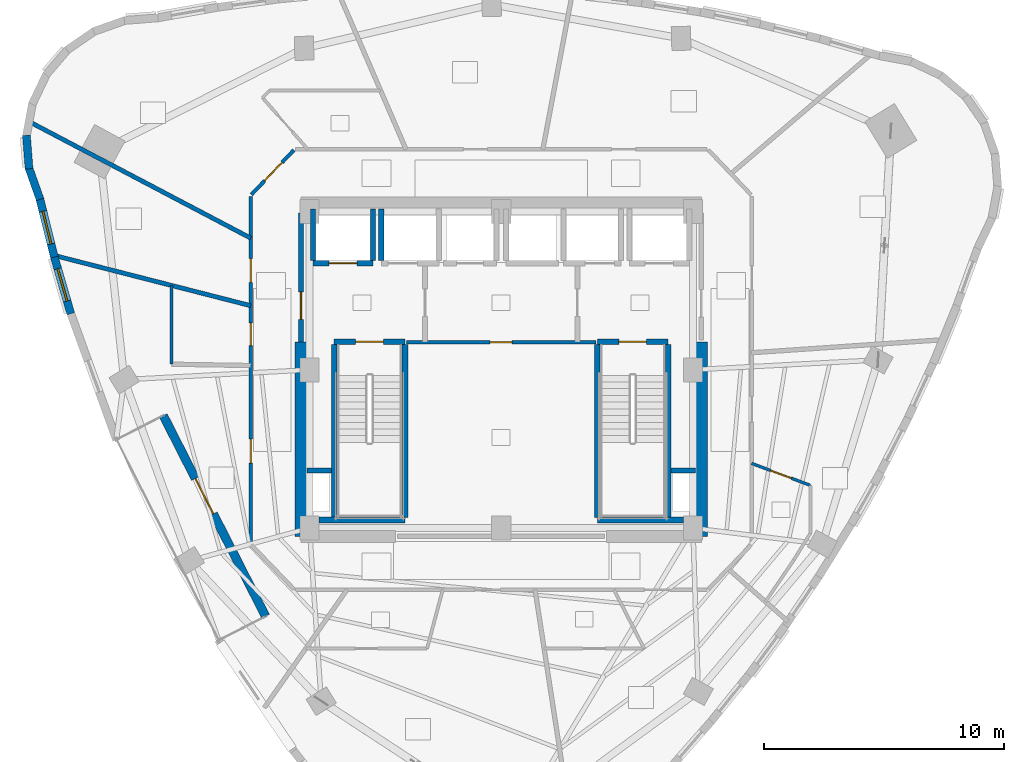
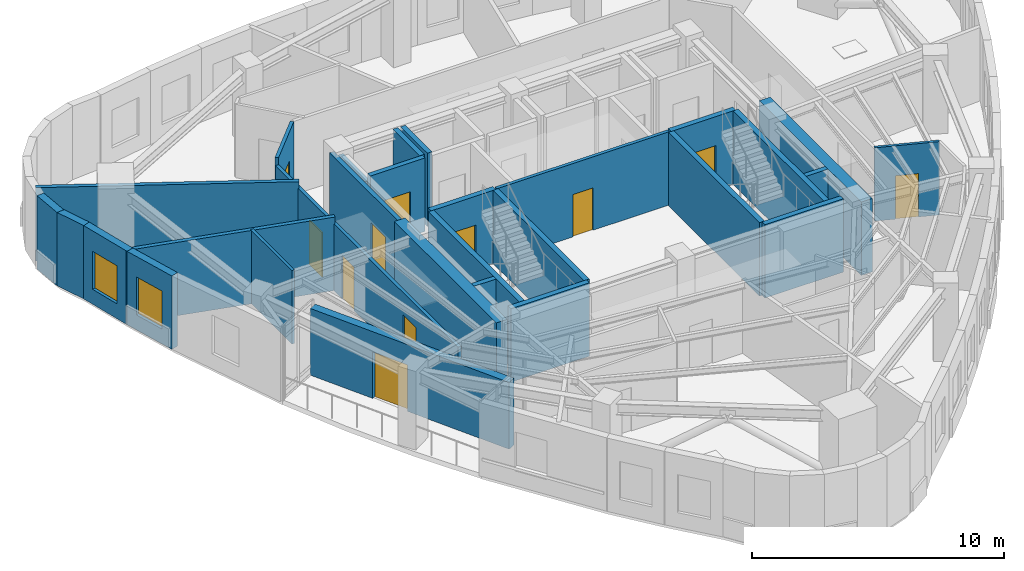
# One storey, part 7 of 13: 29 walls, 11 doors, 2 windows, 13 openings.
"""IFC4 building model written with IfcOpenShell, lengths in metres."""

from ifc_helpers import new_model, si_unit, direction, frame, frame_2d, origin, place, context, subcontext, project, spatial, rectangle, extrude, material, layer, layer_set, type_object, element, fill, save


model = new_model("IFC4")

# Units and contexts
model_context = context("Model", 3, precision=1e-05, world=origin(), true_north=direction((0.0, 1.0)))
body_context = subcontext(model_context, "Body", "Model", "MODEL_VIEW")
ifc_project = project(units=[si_unit("LENGTHUNIT", "METRE"), si_unit("AREAUNIT", "SQUARE_METRE"), si_unit("VOLUMEUNIT", "CUBIC_METRE"), si_unit("PLANEANGLEUNIT", "RADIAN"), si_unit("MASSUNIT", "GRAM", prefix="KILO")], contexts=[model_context])

# Site, building, storey
site_placement = place(None, origin())
site = spatial("IfcSite", under=ifc_project, at=site_placement, CompositionType="ELEMENT")
building_placement = place(site_placement, origin())
building = spatial("IfcBuilding", under=site, at=building_placement, Name="Ndelora Gate Hotel", CompositionType="ELEMENT")
storey_placement = place(building_placement, frame((0.0, 0.0, 197.949951171875)))
storey = spatial("IfcBuildingStorey", under=building, at=storey_placement, Name="L49", CompositionType="ELEMENT", Elevation=197.949951171875)

# Walls
ifc_material_1 = material(Name="Acoustic Double-Stud Gypsum Assembly", Category="gypsum")
ifc_layer_1 = layer(ifc_material_1, 0.179931640625)
ifc_layer_set_1 = layer_set([ifc_layer_1], Name="Acoustic Double-Stud Gypsum Assembly")
wall_type_1 = type_object("IfcWallType", Name="WL-ACOUST-180", PredefinedType="PARTITIONING", material=ifc_layer_set_1)
wall_1_placement = place(storey_placement, frame((-10.449951171875, 5.493408203125, 0.0), z_axis=(0.0, 0.0, 1.0), x_axis=(-0.885159330624, 0.465288039187, 0.0)))
element("IfcWall", 1, at=wall_1_placement, inside=storey, type_object=wall_type_1, Name="L49 Interior Wall IW-3", PredefinedType="PARTITIONING", context=body_context, shape_type="SweptSolid", body=[
    extrude(rectangle(XDim=10.4501953125, YDim=0.179931640625, at=frame_2d((5.22509765625, 0.0))), origin(), (0.0, 0.0, 1.0), 3.550048828125),
])
wall_2_placement = place(storey_placement, frame((-10.449951171875, 2.673583984375, 0.0), z_axis=(0.0, 0.0, 1.0), x_axis=(-0.968789680245, 0.247884157321, 0.0)))
element("IfcWall", 2, at=wall_2_placement, inside=storey, type_object=wall_type_1, Name="L49 Interior Wall IW-3", PredefinedType="PARTITIONING", context=body_context, shape_type="SweptSolid", body=[
    extrude(rectangle(XDim=8.47900390625, YDim=0.179931640625, at=frame_2d((4.239501953125, 0.0))), origin(), (0.0, 0.0, 1.0), 3.550048828125),
])
ifc_material_2 = material(Name="Clay Brick Masonry", Category="masonry")
ifc_layer_2 = layer(ifc_material_2, 0.330078125)
ifc_layer_set_2 = layer_set([ifc_layer_2], Name="Clay Brick Masonry")
wall_type_2 = type_object("IfcWallType", Name="WL-BRICK-330", PredefinedType="SOLIDWALL", material=ifc_layer_set_2)
wall_3_placement = place(storey_placement, frame((-19.700927734375, 8.385986328125, 0.0), z_axis=(0.0, 0.0, 1.0), x_axis=(-0.078566409812, 0.99690888212, 0.0)))
element("IfcWall", 3, at=wall_3_placement, inside=storey, type_object=wall_type_2, Name="L49 Tower Brick Pier-and-Spandrel Wall TWR-7", PredefinedType="SOLIDWALL", context=body_context, shape_type="SweptSolid", body=[
    extrude(rectangle(XDim=1.40771484375, YDim=0.330078125, at=frame_2d((0.703857421875, 0.0))), origin(), (0.0, 0.0, 1.0), 3.550048828125),
])
wall_4_placement = place(storey_placement, frame((-19.241455078125, 7.10791015625, 0.0), z_axis=(0.0, 0.0, 1.0), x_axis=(-0.33376364871, 0.942656791627, 0.0)))
element("IfcWall", 4, at=wall_4_placement, inside=storey, type_object=wall_type_2, Name="L49 Tower Brick Pier-and-Spandrel Wall TWR-8", PredefinedType="SOLIDWALL", context=body_context, shape_type="SweptSolid", body=[
    extrude(rectangle(XDim=1.407470703125, YDim=0.330078125, at=frame_2d((0.70361328125, 0.0))), origin(), (0.0, 0.0, 1.0), 3.550048828125),
])

# Wall, opening, window
wall_5_placement = place(storey_placement, frame((-18.64599609375, 4.701416015625, 0.0), z_axis=(0.0, 0.0, 1.0), x_axis=(-0.241149785718, 0.970487908656, 0.0)))
wall_5 = element("IfcWall", 5, at=wall_5_placement, inside=storey, type_object=wall_type_2, Name="L49 Tower Brick Pier-and-Spandrel Wall TWR-9", PredefinedType="SOLIDWALL", context=body_context, shape_type="SweptSolid", body=[
    extrude(rectangle(XDim=2.529052734375, YDim=0.330078125, at=frame_2d((1.2646484375, 0.0))), origin(), (0.0, 0.0, 1.0), 3.550048828125),
])
opening_1_placement = place(wall_5_placement, frame((0.564453125, 0.0, 0.719970703125)))
opening_1 = element("IfcOpeningElement", 6, at=opening_1_placement, cuts=wall_5, Name="Opening W02", PredefinedType="OPENING", context=body_context, shape_type="SweptSolid", body=[
    extrude(rectangle(XDim=1.39990234375, YDim=1.840087890625, at=frame_2d((0.699951171875, 0.919921875))), frame((0.0, 0.175048828125, 0.0), z_axis=(0.0, -1.0, 0.0), x_axis=(1.0, 0.0, 0.0)), (0.0, 0.0, 1.0), 0.35009765625),
])
ifc_material_3 = material(Name="Insulated Low-E Double Glazing in Bronze Aluminium Frame", Category="aluminium")
window_type = type_object("IfcWindowType", Name="WN-DEEP-1400", PartitioningType="SINGLE_PANEL", PredefinedType="WINDOW", material=ifc_material_3)
window_1_placement = place(opening_1_placement, origin())
window_1 = element("IfcWindow", 7, at=window_1_placement, inside=storey, type_object=window_type, Name="L49 Deep-Set Brick-Pier Window W02", OverallHeight=1.840087890625, OverallWidth=1.39990234375, PartitioningType="SINGLE_PANEL", PredefinedType="WINDOW", context=body_context, shape_type="SweptSolid", body=[
    extrude(rectangle(XDim=1.39990234375, YDim=1.840087890625, at=frame_2d((0.699951171875, 0.919921875))), frame((0.0, 0.030029296875, 0.0), z_axis=(0.0, -1.0, 0.0), x_axis=(1.0, 0.0, 0.0)), (0.0, 0.0, 1.0), 0.06005859375),
])
fill(opening_1, window_1)

wall_6_placement = place(storey_placement, frame((-17.960205078125, 2.340087890625, 0.0), z_axis=(0.0, 0.0, 1.0), x_axis=(-0.278497522166, 0.960436947513, 0.0)))
wall_6 = element("IfcWall", 8, at=wall_6_placement, inside=storey, type_object=wall_type_2, Name="L49 Tower Brick Pier-and-Spandrel Wall TWR-10", PredefinedType="SOLIDWALL", context=body_context, shape_type="SweptSolid", body=[
    extrude(rectangle(XDim=2.509033203125, YDim=0.330078125, at=frame_2d((1.25439453125, 0.0))), origin(), (0.0, 0.0, 1.0), 3.550048828125),
])
opening_2_placement = place(wall_6_placement, frame((0.554443359375, 0.0, 0.719970703125)))
opening_2 = element("IfcOpeningElement", 9, at=opening_2_placement, cuts=wall_6, Name="Opening W02", PredefinedType="OPENING", context=body_context, shape_type="SweptSolid", body=[
    extrude(rectangle(XDim=1.39990234375, YDim=1.840087890625, at=frame_2d((0.699951171875, 0.919921875))), frame((0.0, 0.175048828125, 0.0), z_axis=(0.0, -1.0, 0.0), x_axis=(1.0, 0.0, 0.0)), (0.0, 0.0, 1.0), 0.35009765625),
])
window_2_placement = place(opening_2_placement, origin())
window_2 = element("IfcWindow", 10, at=window_2_placement, inside=storey, type_object=window_type, Name="L49 Deep-Set Brick-Pier Window W02", OverallHeight=1.840087890625, OverallWidth=1.39990234375, PartitioningType="SINGLE_PANEL", PredefinedType="WINDOW", context=body_context, shape_type="SweptSolid", body=[
    extrude(rectangle(XDim=1.39990234375, YDim=1.840087890625, at=frame_2d((0.699951171875, 0.919921875))), frame((0.0, 0.030029296875, 0.0), z_axis=(0.0, -1.0, 0.0), x_axis=(1.0, 0.0, 0.0)), (0.0, 0.0, 1.0), 0.06005859375),
])
fill(opening_2, window_2)

# Wall, opening, door
ifc_layer_3 = layer(ifc_material_2, 0.360107421875)
ifc_layer_set_3 = layer_set([ifc_layer_3], Name="Clay Brick Masonry")
wall_type_3 = type_object("IfcWallType", Name="WL-BRICK-360", PredefinedType="SOLIDWALL", material=ifc_layer_set_3)
wall_7_placement = place(storey_placement, frame((-9.83251953125, -10.284912109375, 0.0), z_axis=(0.0, 0.0, 1.0), x_axis=(-0.453963909428, 0.891020072129, 0.0)))
wall_7 = element("IfcWall", 11, at=wall_7_placement, inside=storey, type_object=wall_type_3, Name="L49 Sky-Garden Loggia Rear Brick Wall", PredefinedType="SOLIDWALL", context=body_context, shape_type="SweptSolid", body=[
    extrude(rectangle(XDim=9.400146484375, YDim=0.360107421875, at=frame_2d((4.7001953125, 0.0))), origin(), (0.0, 0.0, 1.0), 3.22998046875),
])
opening_3_placement = place(wall_7_placement, frame((4.800048828125, 0.0, 0.0)))
opening_3 = element("IfcOpeningElement", 12, at=opening_3_placement, cuts=wall_7, Name="Opening TD1", PredefinedType="OPENING", context=body_context, shape_type="SweptSolid", body=[
    extrude(rectangle(XDim=1.64990234375, YDim=2.25, at=frame_2d((0.824951171875, 1.125))), frame((0.0, 0.18994140625, 0.0), z_axis=(0.0, -1.0, 0.0), x_axis=(1.0, 0.0, 0.0)), (0.0, 0.0, 1.0), 0.380126953125),
])
ifc_material_4 = material(Name="Architectural Bronze Glazed Door", Category="metal")
door_type_1 = type_object("IfcDoorType", Name="DR-TER-1650", OperationType="DOUBLE_DOOR_SINGLE_SWING", PredefinedType="DOOR", material=ifc_material_4)
door_1_placement = place(opening_3_placement, origin())
door_1 = element("IfcDoor", 13, at=door_1_placement, inside=storey, type_object=door_type_1, Name="L49 Sky-Garden Terrace Double Door TD1", OperationType="DOUBLE_DOOR_SINGLE_SWING", OverallHeight=2.25, OverallWidth=1.64990234375, PredefinedType="DOOR", context=body_context, shape_type="SweptSolid", body=[
    extrude(rectangle(XDim=1.64990234375, YDim=2.25, at=frame_2d((0.824951171875, 1.125))), frame((0.0, 0.02490234375, 0.0), z_axis=(0.0, -1.0, 0.0), x_axis=(1.0, 0.0, 0.0)), (0.0, 0.0, 1.0), 0.050048828125),
])
fill(opening_3, door_1)

# Walls
ifc_material_5 = material(Name="Concrete C50/60", Category="concrete")
ifc_layer_4 = layer(ifc_material_5, 0.5)
ifc_layer_set_4 = layer_set([ifc_layer_4], Name="Concrete C50/60")
wall_type_4 = type_object("IfcWallType", Name="WL-CORE-500", PredefinedType="SHEAR", material=ifc_layer_set_4)
for number, where, z_axis, x_axis, name in (
    (14, (-8.35009765625, -6.949951171875, 0.0), (0.0, 0.0, 1.0), (0.0, 1.0, 0.0), "L49 Core Shear Wall W"),
    (15, (8.35009765625, -6.949951171875, 0.0), (0.0, 0.0, 1.0), (0.0, 1.0, 0.0), "L49 Core Shear Wall E"),
):
    element("IfcWall", number, at=place(storey_placement, frame(where, z_axis=z_axis, x_axis=x_axis)), inside=storey, type_object=wall_type_4, Name=name, PredefinedType="SHEAR", context=body_context, shape_type="SweptSolid", body=[
        extrude(rectangle(XDim=8.099853515625, YDim=0.5, at=frame_2d((4.0498046875, 0.0))), origin(), (0.0, 0.0, 1.0), 3.550048828125),
    ])

# Wall, opening, door
ifc_material_6 = material(Name="Concrete C40/50", Category="concrete")
ifc_layer_5 = layer(ifc_material_6, 0.199951171875)
ifc_layer_set_5 = layer_set([ifc_layer_5], Name="Concrete C40/50")
wall_type_5 = type_object("IfcWallType", Name="WL-FIRE-200", PredefinedType="PARTITIONING", material=ifc_layer_set_5)
wall_8_placement = place(storey_placement, frame((-8.35009765625, 1.14990234375, 0.0), z_axis=(0.0, 0.0, 1.0), x_axis=(0.0, 1.0, 0.0)))
wall_8 = element("IfcWall", 16, at=wall_8_placement, inside=storey, type_object=wall_type_5, Name="L49 Interior Wall IW-2", PredefinedType="PARTITIONING", context=body_context, shape_type="SweptSolid", body=[
    extrude(rectangle(XDim=5.400146484375, YDim=0.199951171875, at=frame_2d((2.7001953125, 0.0))), origin(), (0.0, 0.0, 1.0), 3.550048828125),
])
opening_4_placement = place(wall_8_placement, frame((0.949951171875, 0.0, 0.0)))
opening_4 = element("IfcOpeningElement", 17, at=opening_4_placement, cuts=wall_8, Name="Opening FD1", PredefinedType="OPENING", context=body_context, shape_type="SweptSolid", body=[
    extrude(rectangle(XDim=1.14990234375, YDim=2.14990234375, at=frame_2d((0.574951171875, 1.074951171875))), frame((0.0, 0.10986328125, 0.0), z_axis=(0.0, -1.0, 0.0), x_axis=(1.0, 0.0, 0.0)), (0.0, 0.0, 1.0), 0.219970703125),
])
ifc_material_7 = material(Name="Fire-Rated Timber-Veneer Steel Core", Category="steel")
door_type_2 = type_object("IfcDoorType", Name="DR-FD60", OperationType="SINGLE_SWING_LEFT", PredefinedType="DOOR", material=ifc_material_7)
door_2_placement = place(opening_4_placement, origin())
door_2 = element("IfcDoor", 18, at=door_2_placement, inside=storey, type_object=door_type_2, Name="L49 Firefighting Lobby West Corridor Door", OperationType="SINGLE_SWING_LEFT", OverallHeight=2.14990234375, OverallWidth=1.14990234375, PredefinedType="DOOR", context=body_context, shape_type="SweptSolid", body=[
    extrude(rectangle(XDim=1.14990234375, YDim=2.14990234375, at=frame_2d((0.574951171875, 1.074951171875))), frame((0.0, 0.02490234375, 0.0), z_axis=(0.0, -1.0, 0.0), x_axis=(1.0, 0.0, 0.0)), (0.0, 0.0, 1.0), 0.050048828125),
])
fill(opening_4, door_2)

ifc_material_8 = material(Name="Fire-Rated Gypsum Stud Partition", Category="gypsum")
ifc_layer_6 = layer(ifc_material_8, 0.14990234375)
ifc_layer_set_6 = layer_set([ifc_layer_6], Name="Fire-Rated Gypsum Stud Partition")
wall_type_6 = type_object("IfcWallType", Name="WL-PART-150", PredefinedType="PARTITIONING", material=ifc_layer_set_6)
wall_9_placement = place(storey_placement, frame((3.949951171875, 1.14990234375, 0.0), z_axis=(0.0, 0.0, 1.0), x_axis=(-1.0, 0.0, 0.0)))
wall_9 = element("IfcWall", 19, at=wall_9_placement, inside=storey, type_object=wall_type_6, Name="L49 Interior Wall IW-5", PredefinedType="PARTITIONING", context=body_context, shape_type="SweptSolid", body=[
    extrude(rectangle(XDim=7.89990234375, YDim=0.14990234375, at=frame_2d((3.949951171875, 0.0))), origin(), (0.0, 0.0, 1.0), 3.550048828125),
])
opening_5_placement = place(wall_9_placement, frame((3.489990234375, 0.0, 0.0)))
opening_5 = element("IfcOpeningElement", 20, at=opening_5_placement, cuts=wall_9, Name="Opening D04", PredefinedType="OPENING", context=body_context, shape_type="SweptSolid", body=[
    extrude(rectangle(XDim=0.919921875, YDim=2.050048828125, at=frame_2d((0.4599609375, 1.02490234375))), frame((0.0, 0.0849609375, 0.0), z_axis=(0.0, -1.0, 0.0), x_axis=(1.0, 0.0, 0.0)), (0.0, 0.0, 1.0), 0.169921875),
])
ifc_material_9 = material(Name="Painted Steel Core Service Door", Category="steel")
door_type_3 = type_object("IfcDoorType", Name="DR-SER-920", OperationType="SINGLE_SWING_LEFT", PredefinedType="DOOR", material=ifc_material_9)
door_3_placement = place(opening_5_placement, origin())
door_3 = element("IfcDoor", 21, at=door_3_placement, inside=storey, type_object=door_type_3, Name="L49 Core Electrical and Linen Service Store Door", OperationType="SINGLE_SWING_LEFT", OverallHeight=2.050048828125, OverallWidth=0.919921875, PredefinedType="DOOR", context=body_context, shape_type="SweptSolid", body=[
    extrude(rectangle(XDim=0.919921875, YDim=2.050048828125, at=frame_2d((0.4599609375, 1.02490234375))), frame((0.0, 0.02490234375, 0.0), z_axis=(0.0, -1.0, 0.0), x_axis=(1.0, 0.0, 0.0)), (0.0, 0.0, 1.0), 0.050048828125),
])
fill(opening_5, door_3)

wall_10_placement = place(storey_placement, frame((-10.42236328125, 7.30908203125, 0.0), z_axis=(0.0, 0.0, 1.0), x_axis=(0.689960858356, 0.723846678473, 0.0)))
wall_10 = element("IfcWall", 22, at=wall_10_placement, inside=storey, type_object=wall_type_6, Name="L49 Interior Wall IW-5", PredefinedType="PARTITIONING", context=body_context, shape_type="SweptSolid", body=[
    extrude(rectangle(XDim=2.572021484375, YDim=0.14990234375, at=frame_2d((1.2861328125, 0.0))), origin(), (0.0, 0.0, 1.0), 3.550048828125),
])
opening_6_placement = place(wall_10_placement, frame((0.796142578125, 0.0, 0.0)))
opening_6 = element("IfcOpeningElement", 23, at=opening_6_placement, cuts=wall_10, Name="Opening D07", PredefinedType="OPENING", context=body_context, shape_type="SweptSolid", body=[
    extrude(rectangle(XDim=1.06005859375, YDim=2.14990234375, at=frame_2d((0.530029296875, 1.074951171875))), frame((0.0, 0.0849609375, 0.0), z_axis=(0.0, -1.0, 0.0), x_axis=(1.0, 0.0, 0.0)), (0.0, 0.0, 1.0), 0.169921875),
])
ifc_material_10 = material(Name="Diplomatic Suite Acoustic Entrance Door", Category="wood")
door_type_4 = type_object("IfcDoorType", Name="DR-SUITE-1060", OperationType="SINGLE_SWING_LEFT", PredefinedType="DOOR", material=ifc_material_10)
door_4_placement = place(opening_6_placement, origin())
door_4 = element("IfcDoor", 24, at=door_4_placement, inside=storey, type_object=door_type_4, Name="L49 Altitude King Junior Suite 5204 Entrance Door", OperationType="SINGLE_SWING_LEFT", OverallHeight=2.14990234375, OverallWidth=1.06005859375, PredefinedType="DOOR", context=body_context, shape_type="SweptSolid", body=[
    extrude(rectangle(XDim=1.06005859375, YDim=2.14990234375, at=frame_2d((0.530029296875, 1.074951171875))), frame((0.0, 0.02490234375, 0.0), z_axis=(0.0, -1.0, 0.0), x_axis=(1.0, 0.0, 0.0)), (0.0, 0.0, 1.0), 0.050048828125),
])
fill(opening_6, door_4)

# Wall, openings, doors
wall_11_placement = place(storey_placement, frame((-10.449951171875, -7.239990234375, 0.0), z_axis=(0.0, 0.0, 1.0), x_axis=(0.0, 1.0, 0.0)))
wall_11 = element("IfcWall", 25, at=wall_11_placement, inside=storey, type_object=wall_type_6, Name="L49 Interior Wall IW-5", PredefinedType="PARTITIONING", context=body_context, shape_type="SweptSolid", body=[
    extrude(rectangle(XDim=14.47998046875, YDim=0.14990234375, at=frame_2d((7.239990234375, 0.0))), origin(), (0.0, 0.0, 1.0), 3.22998046875),
])
opening_7_placement = place(wall_11_placement, frame((8.2431640625, 0.0, 0.0)))
opening_7 = element("IfcOpeningElement", 26, at=opening_7_placement, cuts=wall_11, Name="Opening D05", PredefinedType="OPENING", context=body_context, shape_type="SweptSolid", body=[
    extrude(rectangle(XDim=0.949951171875, YDim=2.10009765625, at=frame_2d((0.47509765625, 1.050048828125))), frame((0.0, 0.0849609375, 0.0), z_axis=(0.0, -1.0, 0.0), x_axis=(1.0, 0.0, 0.0)), (0.0, 0.0, 1.0), 0.169921875),
])
opening_8_placement = place(wall_11_placement, frame((10.8837890625, 0.0, 0.0)))
opening_8 = element("IfcOpeningElement", 27, at=opening_8_placement, cuts=wall_11, Name="Opening D01", PredefinedType="OPENING", context=body_context, shape_type="SweptSolid", body=[
    extrude(rectangle(XDim=1.0, YDim=2.14990234375, at=frame_2d((0.5, 1.074951171875))), frame((0.0, 0.0849609375, 0.0), z_axis=(0.0, -1.0, 0.0), x_axis=(1.0, 0.0, 0.0)), (0.0, 0.0, 1.0), 0.169921875),
])
opening_9_placement = place(wall_11_placement, frame((3.3486328125, 0.0, 0.0)))
opening_9 = element("IfcOpeningElement", 28, at=opening_9_placement, cuts=wall_11, Name="Opening D01", PredefinedType="OPENING", context=body_context, shape_type="SweptSolid", body=[
    extrude(rectangle(XDim=1.0, YDim=2.14990234375, at=frame_2d((0.5, 1.074951171875))), frame((0.0, 0.0849609375, 0.0), z_axis=(0.0, -1.0, 0.0), x_axis=(1.0, 0.0, 0.0)), (0.0, 0.0, 1.0), 0.169921875),
])
ifc_material_11 = material(Name="Accessible Restroom Wide-Clearance Door", Category="wood")
door_type_5 = type_object("IfcDoorType", Name="DR-ACC-950", OperationType="SINGLE_SWING_LEFT", PredefinedType="DOOR", material=ifc_material_11)
door_5_placement = place(opening_7_placement, origin())
door_5 = element("IfcDoor", 29, at=door_5_placement, inside=storey, type_object=door_type_5, Name="L49 Accessible WC Entrance Door", OperationType="SINGLE_SWING_RIGHT", OverallHeight=2.10009765625, OverallWidth=0.949951171875, PredefinedType="DOOR", context=body_context, shape_type="SweptSolid", body=[
    extrude(rectangle(XDim=0.949951171875, YDim=2.10009765625, at=frame_2d((0.47509765625, 1.050048828125))), frame((0.0, 0.02490234375, 0.0), z_axis=(0.0, -1.0, 0.0), x_axis=(1.0, 0.0, 0.0)), (0.0, 0.0, 1.0), 0.050048828125),
])
fill(opening_7, door_5)
ifc_material_12 = material(Name="Acoustic Hardwood Guest Entrance Door", Category="wood")
door_type_6 = type_object("IfcDoorType", Name="DR-COR-1000", OperationType="SINGLE_SWING_LEFT", PredefinedType="DOOR", material=ifc_material_12)
door_6_placement = place(opening_8_placement, origin())
door_6 = element("IfcDoor", 30, at=door_6_placement, inside=storey, type_object=door_type_6, Name="L49 Housekeeping and Linen Room Entrance Door", OperationType="SINGLE_SWING_LEFT", OverallHeight=2.14990234375, OverallWidth=1.0, PredefinedType="DOOR", context=body_context, shape_type="SweptSolid", body=[
    extrude(rectangle(XDim=1.0, YDim=2.14990234375, at=frame_2d((0.5, 1.074951171875))), frame((0.0, 0.02490234375, 0.0), z_axis=(0.0, -1.0, 0.0), x_axis=(1.0, 0.0, 0.0)), (0.0, 0.0, 1.0), 0.050048828125),
])
fill(opening_8, door_6)
door_7_placement = place(opening_9_placement, origin())
door_7 = element("IfcDoor", 31, at=door_7_placement, inside=storey, type_object=door_type_6, Name="L49 Sky Garden Tea Dining Room Entrance Door", OperationType="SINGLE_SWING_RIGHT", OverallHeight=2.14990234375, OverallWidth=1.0, PredefinedType="DOOR", context=body_context, shape_type="SweptSolid", body=[
    extrude(rectangle(XDim=1.0, YDim=2.14990234375, at=frame_2d((0.5, 1.074951171875))), frame((0.0, 0.02490234375, 0.0), z_axis=(0.0, -1.0, 0.0), x_axis=(1.0, 0.0, 0.0)), (0.0, 0.0, 1.0), 0.050048828125),
])
fill(opening_9, door_7)

# Walls
ifc_layer_7 = layer(ifc_material_6, 0.219970703125)
ifc_layer_set_7 = layer_set([ifc_layer_7], Name="Concrete C40/50")
wall_type_7 = type_object("IfcWallType", Name="WL-SHAFT-220", PredefinedType="PARTITIONING", material=ifc_layer_set_7)
for number, where, z_axis, x_axis, name in (
    (32, (-8.10009765625, -4.199951171875, 0.0), (0.0, 0.0, 1.0), (1.0, 0.0, 0.0), "L49 Interior Wall IW-1"),
    (33, (7.090087890625, -4.199951171875, 0.0), (0.0, 0.0, 1.0), (1.0, 0.0, 0.0), "L49 Interior Wall IW-1"),
):
    element("IfcWall", number, at=place(storey_placement, frame(where, z_axis=z_axis, x_axis=x_axis)), inside=storey, type_object=wall_type_7, Name=name, PredefinedType="PARTITIONING", context=body_context, shape_type="SweptSolid", body=[
        extrude(rectangle(XDim=1.010009765625, YDim=0.219970703125, at=frame_2d((0.5048828125, 0.0))), origin(), (0.0, 0.0, 1.0), 3.550048828125),
    ])

# Wall, opening, door
wall_12_placement = place(storey_placement, frame((-7.85009765625, 4.449951171875, 0.0), z_axis=(0.0, 0.0, 1.0), x_axis=(1.0, 0.0, 0.0)))
wall_12 = element("IfcWall", 34, at=wall_12_placement, inside=storey, type_object=wall_type_7, Name="L49 Interior Wall IW-1", PredefinedType="PARTITIONING", context=body_context, shape_type="SweptSolid", body=[
    extrude(rectangle(XDim=2.5, YDim=0.219970703125, at=frame_2d((1.25, 0.0))), origin(), (0.0, 0.0, 1.0), 3.550048828125),
])
opening_10_placement = place(wall_12_placement, frame((0.659912109375, 0.0, 0.0)))
opening_10 = element("IfcOpeningElement", 35, at=opening_10_placement, cuts=wall_12, Name="Opening LD5", PredefinedType="OPENING", context=body_context, shape_type="SweptSolid", body=[
    extrude(rectangle(XDim=1.179931640625, YDim=2.14990234375, at=frame_2d((0.58984375, 1.074951171875))), frame((0.0, 0.1201171875, 0.0), z_axis=(0.0, -1.0, 0.0), x_axis=(1.0, 0.0, 0.0)), (0.0, 0.0, 1.0), 0.239990234375),
])
ifc_material_13 = material(Name="Firefighting Lift Stainless Sliding Landing Door", Category="metal")
door_type_7 = type_object("IfcDoorType", Name="DR-LD5", OperationType="DOUBLE_DOOR_SLIDING", PredefinedType="DOOR", material=ifc_material_13)
door_8_placement = place(opening_10_placement, origin())
door_8 = element("IfcDoor", 36, at=door_8_placement, inside=storey, type_object=door_type_7, Name="L49 Lift Landing Sliding Door FFL1", OperationType="DOUBLE_DOOR_SLIDING", OverallHeight=2.14990234375, OverallWidth=1.179931640625, PredefinedType="DOOR", context=body_context, shape_type="SweptSolid", body=[
    extrude(rectangle(XDim=1.179931640625, YDim=2.14990234375, at=frame_2d((0.58984375, 1.074951171875))), frame((0.0, 0.02490234375, 0.0), z_axis=(0.0, -1.0, 0.0), x_axis=(1.0, 0.0, 0.0)), (0.0, 0.0, 1.0), 0.050048828125),
])
fill(opening_10, door_8)

# Walls
wall_13_placement = place(storey_placement, frame((-7.85009765625, 4.570068359375, 0.0), z_axis=(0.0, 0.0, 1.0), x_axis=(0.0, 1.0, 0.0)))
element("IfcWall", 37, at=wall_13_placement, inside=storey, type_object=wall_type_7, Name="L49 Interior Wall IW-1", PredefinedType="PARTITIONING", context=body_context, shape_type="SweptSolid", body=[
    extrude(rectangle(XDim=2.1298828125, YDim=0.219970703125, at=frame_2d((1.06494140625, 0.0))), origin(), (0.0, 0.0, 1.0), 3.179931640625),
])
for number, where, z_axis, x_axis, name in (
    (38, (-5.35009765625, 4.570068359375, 0.0), (0.0, 0.0, 1.0), (0.0, 1.0, 0.0), "L49 Interior Wall IW-1"),
    (39, (-5.0, 4.570068359375, 0.0), (0.0, 0.0, 1.0), (0.0, 1.0, 0.0), "L49 Interior Wall IW-1"),
):
    element("IfcWall", number, at=place(storey_placement, frame(where, z_axis=z_axis, x_axis=x_axis)), inside=storey, type_object=wall_type_7, Name=name, PredefinedType="PARTITIONING", context=body_context, shape_type="SweptSolid", body=[
        extrude(rectangle(XDim=2.1298828125, YDim=0.219970703125, at=frame_2d((1.06494140625, 0.0))), origin(), (0.0, 0.0, 1.0), 3.550048828125),
    ])
ifc_layer_8 = layer(ifc_material_5, 0.239990234375)
ifc_layer_set_8 = layer_set([ifc_layer_8], Name="Concrete C50/60")
wall_type_8 = type_object("IfcWallType", Name="WL-STAIR-240", PredefinedType="SHEAR", material=ifc_layer_set_8)
wall_14_placement = place(storey_placement, frame((-6.969970703125, -6.159912109375, 0.0), z_axis=(0.0, 0.0, 1.0), x_axis=(0.0, 1.0, 0.0)))
element("IfcWall", 40, at=wall_14_placement, inside=storey, type_object=wall_type_8, Name="L49 Stair Core Shear Wall SW-ST", PredefinedType="SHEAR", context=body_context, shape_type="SweptSolid", body=[
    extrude(rectangle(XDim=7.219970703125, YDim=0.239990234375, at=frame_2d((3.60986328125, 0.0))), origin(), (0.0, 0.0, 1.0), 3.550048828125),
])
wall_15_placement = place(storey_placement, frame((-7.60009765625, -6.27001953125, 0.0), z_axis=(0.0, 0.0, 1.0), x_axis=(1.0, 0.0, 0.0)))
element("IfcWall", 41, at=wall_15_placement, inside=storey, type_object=wall_type_8, Name="L49 Stair Core Shear Wall SW-ST", PredefinedType="SHEAR", context=body_context, shape_type="SweptSolid", body=[
    extrude(rectangle(XDim=3.590087890625, YDim=0.239990234375, at=frame_2d((1.794921875, 0.0))), origin(), (0.0, 0.0, 1.0), 3.550048828125),
])
wall_16_placement = place(storey_placement, frame((-4.010009765625, -6.159912109375, 0.0), z_axis=(0.0, 0.0, 1.0), x_axis=(0.0, 1.0, 0.0)))
element("IfcWall", 42, at=wall_16_placement, inside=storey, type_object=wall_type_8, Name="L49 Stair Core Shear Wall SW-ST", PredefinedType="SHEAR", context=body_context, shape_type="SweptSolid", body=[
    extrude(rectangle(XDim=7.219970703125, YDim=0.239990234375, at=frame_2d((3.60986328125, 0.0))), origin(), (0.0, 0.0, 1.0), 3.550048828125),
])

# Wall, opening, door
wall_17_placement = place(storey_placement, frame((-6.969970703125, 1.169921875, 0.0), z_axis=(0.0, 0.0, 1.0), x_axis=(1.0, 0.0, 0.0)))
wall_17 = element("IfcWall", 43, at=wall_17_placement, inside=storey, type_object=wall_type_8, Name="L49 Stair Core Shear Wall SW-ST", PredefinedType="SHEAR", context=body_context, shape_type="SweptSolid", body=[
    extrude(rectangle(XDim=2.9599609375, YDim=0.239990234375, at=frame_2d((1.47998046875, 0.0))), origin(), (0.0, 0.0, 1.0), 3.550048828125),
])
opening_11_placement = place(wall_17_placement, frame((0.89990234375, 0.0, 0.0)))
opening_11 = element("IfcOpeningElement", 44, at=opening_11_placement, cuts=wall_17, Name="Opening FD1", PredefinedType="OPENING", context=body_context, shape_type="SweptSolid", body=[
    extrude(rectangle(XDim=1.14990234375, YDim=2.14990234375, at=frame_2d((0.574951171875, 1.074951171875))), frame((0.0, 0.1298828125, 0.0), z_axis=(0.0, -1.0, 0.0), x_axis=(1.0, 0.0, 0.0)), (0.0, 0.0, 1.0), 0.260009765625),
])
door_9_placement = place(opening_11_placement, origin())
door_9 = element("IfcDoor", 45, at=door_9_placement, inside=storey, type_object=door_type_2, Name="L49 Exit Stair ST4 Door", OperationType="SINGLE_SWING_LEFT", OverallHeight=2.14990234375, OverallWidth=1.14990234375, PredefinedType="DOOR", context=body_context, shape_type="SweptSolid", body=[
    extrude(rectangle(XDim=1.14990234375, YDim=2.14990234375, at=frame_2d((0.574951171875, 1.074951171875))), frame((0.0, 0.02490234375, 0.0), z_axis=(0.0, -1.0, 0.0), x_axis=(1.0, 0.0, 0.0)), (0.0, 0.0, 1.0), 0.050048828125),
])
fill(opening_11, door_9)

# Walls
for number, where, z_axis, x_axis, name in (
    (46, (4.010009765625, -6.159912109375, 0.0), (0.0, 0.0, 1.0), (0.0, 1.0, 0.0), "L49 Stair Core Shear Wall SW-ST"),
    (47, (6.969970703125, -6.159912109375, 0.0), (0.0, 0.0, 1.0), (0.0, 1.0, 0.0), "L49 Stair Core Shear Wall SW-ST"),
):
    element("IfcWall", number, at=place(storey_placement, frame(where, z_axis=z_axis, x_axis=x_axis)), inside=storey, type_object=wall_type_8, Name=name, PredefinedType="SHEAR", context=body_context, shape_type="SweptSolid", body=[
        extrude(rectangle(XDim=7.219970703125, YDim=0.239990234375, at=frame_2d((3.60986328125, 0.0))), origin(), (0.0, 0.0, 1.0), 3.550048828125),
    ])
wall_18_placement = place(storey_placement, frame((4.010009765625, -6.27001953125, 0.0), z_axis=(0.0, 0.0, 1.0), x_axis=(1.0, 0.0, 0.0)))
element("IfcWall", 48, at=wall_18_placement, inside=storey, type_object=wall_type_8, Name="L49 Stair Core Shear Wall SW-ST", PredefinedType="SHEAR", context=body_context, shape_type="SweptSolid", body=[
    extrude(rectangle(XDim=3.590087890625, YDim=0.239990234375, at=frame_2d((1.794921875, 0.0))), origin(), (0.0, 0.0, 1.0), 3.550048828125),
])

# Wall, opening, door
wall_19_placement = place(storey_placement, frame((4.010009765625, 1.169921875, 0.0), z_axis=(0.0, 0.0, 1.0), x_axis=(1.0, 0.0, 0.0)))
wall_19 = element("IfcWall", 49, at=wall_19_placement, inside=storey, type_object=wall_type_8, Name="L49 Stair Core Shear Wall SW-ST", PredefinedType="SHEAR", context=body_context, shape_type="SweptSolid", body=[
    extrude(rectangle(XDim=2.9599609375, YDim=0.239990234375, at=frame_2d((1.47998046875, 0.0))), origin(), (0.0, 0.0, 1.0), 3.550048828125),
])
opening_12_placement = place(wall_19_placement, frame((0.89990234375, 0.0, 0.0)))
opening_12 = element("IfcOpeningElement", 50, at=opening_12_placement, cuts=wall_19, Name="Opening FD1", PredefinedType="OPENING", context=body_context, shape_type="SweptSolid", body=[
    extrude(rectangle(XDim=1.14990234375, YDim=2.14990234375, at=frame_2d((0.574951171875, 1.074951171875))), frame((0.0, 0.1298828125, 0.0), z_axis=(0.0, -1.0, 0.0), x_axis=(1.0, 0.0, 0.0)), (0.0, 0.0, 1.0), 0.260009765625),
])
door_10_placement = place(opening_12_placement, origin())
door_10 = element("IfcDoor", 51, at=door_10_placement, inside=storey, type_object=door_type_2, Name="L49 Exit Stair ST5 Door", OperationType="SINGLE_SWING_RIGHT", OverallHeight=2.14990234375, OverallWidth=1.14990234375, PredefinedType="DOOR", context=body_context, shape_type="SweptSolid", body=[
    extrude(rectangle(XDim=1.14990234375, YDim=2.14990234375, at=frame_2d((0.574951171875, 1.074951171875))), frame((0.0, 0.02490234375, 0.0), z_axis=(0.0, -1.0, 0.0), x_axis=(1.0, 0.0, 0.0)), (0.0, 0.0, 1.0), 0.050048828125),
])
fill(opening_12, door_10)

ifc_material_14 = material(Name="Moisture-Resistant Bathroom Tile Partition", Category="gypsum")
ifc_layer_9 = layer(ifc_material_14, 0.1201171875)
ifc_layer_set_9 = layer_set([ifc_layer_9], Name="Moisture-Resistant Bathroom Tile Partition")
wall_type_9 = type_object("IfcWallType", Name="WL-WET-120", PredefinedType="PARTITIONING", material=ifc_layer_set_9)
wall_20_placement = place(storey_placement, frame((10.449951171875, -3.905517578125, 0.0), z_axis=(0.0, 0.0, 1.0), x_axis=(0.936731357681, -0.350049087325, 0.0)))
wall_20 = element("IfcWall", 52, at=wall_20_placement, inside=storey, type_object=wall_type_9, Name="L49 Interior Wall IW-7", PredefinedType="PARTITIONING", context=body_context, shape_type="SweptSolid", body=[
    extrude(rectangle(XDim=2.615478515625, YDim=0.1201171875, at=frame_2d((1.3076171875, 0.0))), origin(), (0.0, 0.0, 1.0), 3.550048828125),
])
opening_13_placement = place(wall_20_placement, frame((0.84765625, 0.0, 0.0)))
opening_13 = element("IfcOpeningElement", 53, at=opening_13_placement, cuts=wall_20, Name="Opening D03", PredefinedType="OPENING", context=body_context, shape_type="SweptSolid", body=[
    extrude(rectangle(XDim=0.919921875, YDim=2.10009765625, at=frame_2d((0.4599609375, 1.050048828125))), frame((0.0, 0.070068359375, 0.0), z_axis=(0.0, -1.0, 0.0), x_axis=(1.0, 0.0, 0.0)), (0.0, 0.0, 1.0), 0.14013671875),
])
ifc_material_15 = material(Name="Moisture-Resistant Hardwood En-Suite Door", Category="wood")
door_type_8 = type_object("IfcDoorType", Name="DR-BATH-920", OperationType="SINGLE_SWING_LEFT", PredefinedType="DOOR", material=ifc_material_15)
door_11_placement = place(opening_13_placement, origin())
door_11 = element("IfcDoor", 54, at=door_11_placement, inside=storey, type_object=door_type_8, Name="L49 En-suite Bathroom 5203 Door", OperationType="SINGLE_SWING_RIGHT", OverallHeight=2.10009765625, OverallWidth=0.919921875, PredefinedType="DOOR", context=body_context, shape_type="SweptSolid", body=[
    extrude(rectangle(XDim=0.919921875, YDim=2.10009765625, at=frame_2d((0.4599609375, 1.050048828125))), frame((0.0, 0.02490234375, 0.0), z_axis=(0.0, -1.0, 0.0), x_axis=(1.0, 0.0, 0.0)), (0.0, 0.0, 1.0), 0.050048828125),
])
fill(opening_13, door_11)

# Wall
ifc_material_16 = material(Name="Moisture-Resistant Fire-Rated Tile Partition", Category="gypsum")
ifc_layer_10 = layer(ifc_material_16, 0.1298828125)
ifc_layer_set_10 = layer_set([ifc_layer_10], Name="Moisture-Resistant Fire-Rated Tile Partition")
wall_type_10 = type_object("IfcWallType", Name="WL-WET-RATED", PredefinedType="PARTITIONING", material=ifc_layer_set_10)
wall_21_placement = place(storey_placement, frame((-13.75, 0.2333984375, 0.0), z_axis=(0.0, 0.0, 1.0), x_axis=(0.0, 1.0, 0.0)))
element("IfcWall", 55, at=wall_21_placement, inside=storey, type_object=wall_type_10, Name="L49 Interior Wall IW-6", PredefinedType="PARTITIONING", context=body_context, shape_type="SweptSolid", body=[
    extrude(rectangle(XDim=3.28466796875, YDim=0.1298828125, at=frame_2d((1.642333984375, 0.0))), origin(), (0.0, 0.0, 1.0), 3.550048828125),
])

save(model, "model.ifc")
